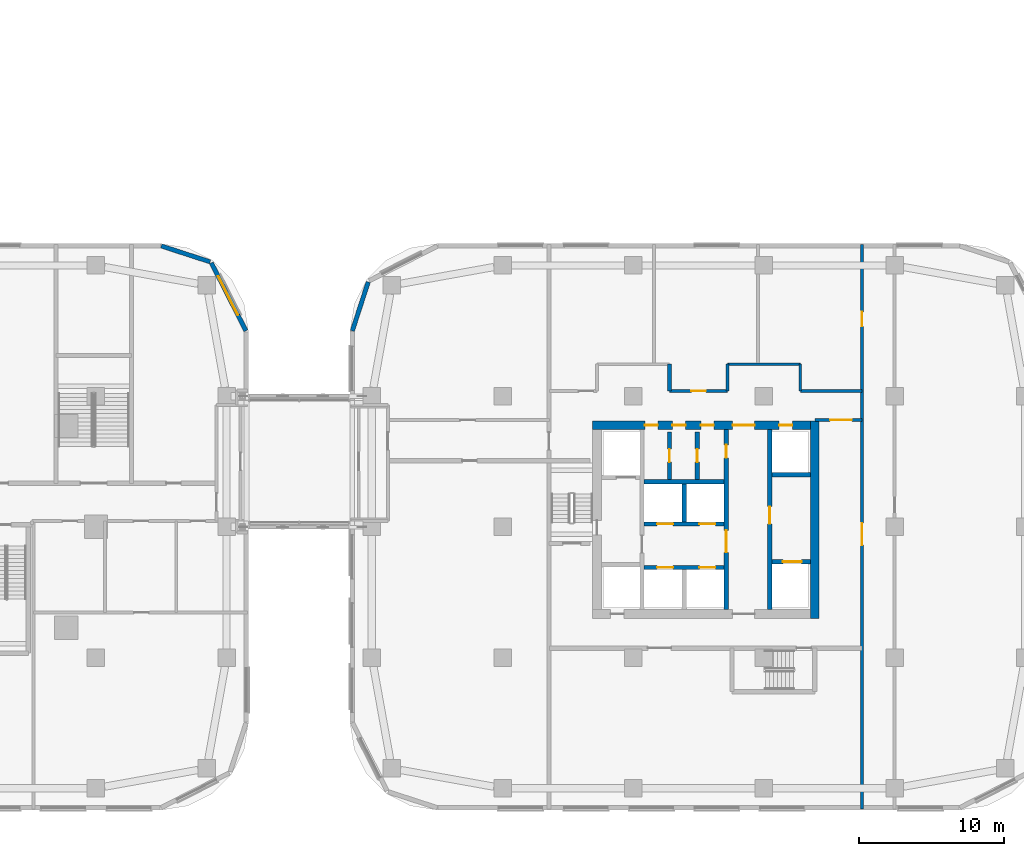
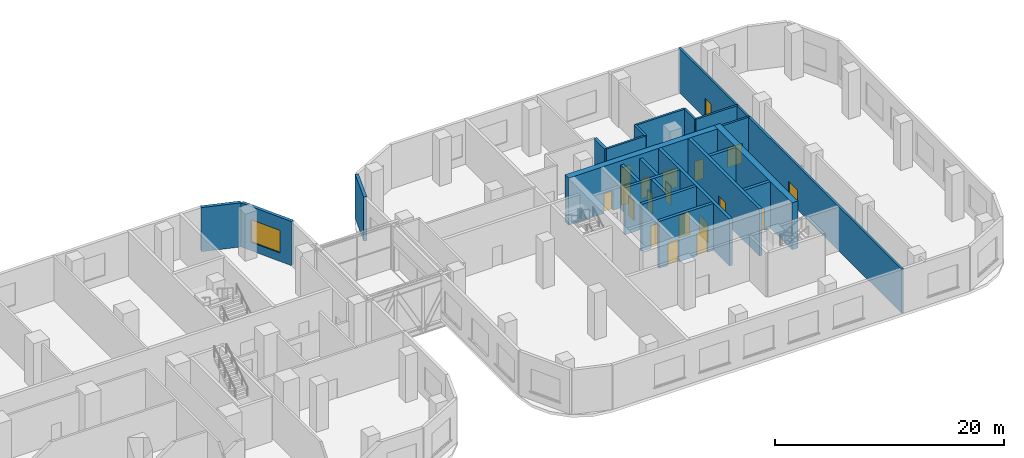
# One storey, part 13 of 35: 23 walls, 19 doors, 1 window, 20 openings.
"""IFC4 building model written with IfcOpenShell, lengths in metres."""

from ifc_helpers import new_model, si_unit, direction, frame, frame_2d, origin, place, context, subcontext, project, spatial, rectangle, extrude, material, layer, layer_set, type_object, element, fill, save


model = new_model("IFC4")

# Units and contexts
model_context = context("Model", 3, precision=1e-05, world=origin(), true_north=direction((0.0, 1.0)))
body_context = subcontext(model_context, "Body", "Model", "MODEL_VIEW")
ifc_project = project(units=[si_unit("LENGTHUNIT", "METRE"), si_unit("AREAUNIT", "SQUARE_METRE"), si_unit("VOLUMEUNIT", "CUBIC_METRE"), si_unit("PLANEANGLEUNIT", "RADIAN"), si_unit("MASSUNIT", "GRAM", prefix="KILO")], contexts=[model_context])

# Site, building, storey
site_placement = place(None, origin())
site = spatial("IfcSite", under=ifc_project, at=site_placement, CompositionType="ELEMENT")
building_placement = place(site_placement, origin())
building = spatial("IfcBuilding", under=site, at=building_placement, Name="Ogive Portal Towers", CompositionType="ELEMENT")
storey_placement = place(building_placement, frame((0.0, 0.0, 18.5)))
storey = spatial("IfcBuildingStorey", under=building, at=storey_placement, Name="L03", CompositionType="ELEMENT", Elevation=18.5)

# Wall, openings, doors
ifc_material_1 = material(Name="Concrete C60/75", Category="concrete")
ifc_layer_1 = layer(ifc_material_1, 0.300048828125)
ifc_layer_set_1 = layer_set([ifc_layer_1], Name="CORE WALL 300 C60")
wall_type_1 = type_object("IfcWallType", Name="CORE WALL 300 C60", PredefinedType="SHEAR", material=ifc_layer_set_1)
wall_1_placement = place(storey_placement, frame((137.89990234375, 24.800048828125, 0.0), z_axis=(0.0, 0.0, 1.0), x_axis=(0.0, 1.0, 0.0)))
wall_1 = element("IfcWall", 1, at=wall_1_placement, inside=storey, type_object=wall_type_1, Name="Tower B core wall BX2 L03", PredefinedType="SHEAR", context=body_context, shape_type="SweptSolid", body=[
    extrude(rectangle(XDim=12.39990234375, YDim=0.300048828125, at=frame_2d((6.199951171875, 0.0))), origin(), (0.0, 0.0, 1.0), 5.0),
])
opening_1_placement = place(wall_1_placement, frame((3.949951171875, 0.0, 0.0)))
opening_1 = element("IfcOpeningElement", 2, at=opening_1_placement, cuts=wall_1, Name="Opening P03-052", PredefinedType="OPENING", context=body_context, shape_type="SweptSolid", body=[
    extrude(rectangle(XDim=1.5, YDim=2.10009765625, at=frame_2d((0.75, 1.050048828125))), frame((0.0, 0.16015625, 0.0), z_axis=(0.0, -1.0, 0.0), x_axis=(1.0, 0.0, 0.0)), (0.0, 0.0, 1.0), 0.320068359375),
])
opening_2_placement = place(wall_1_placement, frame((10.449951171875, 0.0, 0.0)))
opening_2 = element("IfcOpeningElement", 3, at=opening_2_placement, cuts=wall_1, Name="Opening P03-069", PredefinedType="OPENING", context=body_context, shape_type="SweptSolid", body=[
    extrude(rectangle(XDim=0.89990234375, YDim=2.10009765625, at=frame_2d((0.449951171875, 1.050048828125))), frame((0.0, 0.16015625, 0.0), z_axis=(0.0, -1.0, 0.0), x_axis=(1.0, 0.0, 0.0)), (0.0, 0.0, 1.0), 0.320068359375),
])
ifc_material_2 = material(Name="Steel fire door", Category="steel")
door_type_1 = type_object("IfcDoorType", Name="DT-SWING-1500x2100-FD90S", OperationType="SINGLE_SWING_LEFT", PredefinedType="DOOR", material=ifc_material_2)
door_1_placement = place(opening_1_placement, origin())
door_1 = element("IfcDoor", 4, at=door_1_placement, inside=storey, type_object=door_type_1, Name="Door P03-052", OperationType="SINGLE_SWING_RIGHT", OverallHeight=2.10009765625, OverallWidth=1.5, PredefinedType="DOOR", context=body_context, shape_type="SweptSolid", body=[
    extrude(rectangle(XDim=1.5, YDim=2.10009765625, at=frame_2d((0.75, 1.050048828125))), frame((0.0, 0.02490234375, 0.0), z_axis=(0.0, -1.0, 0.0), x_axis=(1.0, 0.0, 0.0)), (0.0, 0.0, 1.0), 0.050048828125),
])
fill(opening_1, door_1)
door_type_2 = type_object("IfcDoorType", Name="DT-SWING-900x2100-FD90S", OperationType="SINGLE_SWING_LEFT", PredefinedType="DOOR", material=ifc_material_2)
door_2_placement = place(opening_2_placement, origin())
door_2 = element("IfcDoor", 5, at=door_2_placement, inside=storey, type_object=door_type_2, Name="Door P03-069", OperationType="SINGLE_SWING_RIGHT", OverallHeight=2.10009765625, OverallWidth=0.89990234375, PredefinedType="DOOR", context=body_context, shape_type="SweptSolid", body=[
    extrude(rectangle(XDim=0.89990234375, YDim=2.10009765625, at=frame_2d((0.449951171875, 1.050048828125))), frame((0.0, 0.02490234375, 0.0), z_axis=(0.0, -1.0, 0.0), x_axis=(1.0, 0.0, 0.0)), (0.0, 0.0, 1.0), 0.050048828125),
])
fill(opening_2, door_2)

# Wall, opening, door
wall_2_placement = place(storey_placement, frame((140.89990234375, 24.800048828125, 0.0), z_axis=(0.0, 0.0, 1.0), x_axis=(0.0, 1.0, 0.0)))
wall_2 = element("IfcWall", 6, at=wall_2_placement, inside=storey, type_object=wall_type_1, Name="Tower B core wall BX3 L03", PredefinedType="SHEAR", context=body_context, shape_type="SweptSolid", body=[
    extrude(rectangle(XDim=12.39990234375, YDim=0.300048828125, at=frame_2d((6.199951171875, 0.0))), origin(), (0.0, 0.0, 1.0), 5.0),
])
opening_3_placement = place(wall_2_placement, frame((5.89990234375, 0.0, 0.0)))
opening_3 = element("IfcOpeningElement", 7, at=opening_3_placement, cuts=wall_2, Name="Opening P03-054", PredefinedType="OPENING", context=body_context, shape_type="SweptSolid", body=[
    extrude(rectangle(XDim=1.199951171875, YDim=2.10009765625, at=frame_2d((0.60009765625, 1.050048828125))), frame((0.0, 0.16015625, 0.0), z_axis=(0.0, -1.0, 0.0), x_axis=(1.0, 0.0, 0.0)), (0.0, 0.0, 1.0), 0.320068359375),
])
door_type_3 = type_object("IfcDoorType", Name="DT-SWING-1200x2100-FD90S", OperationType="SINGLE_SWING_LEFT", PredefinedType="DOOR", material=ifc_material_2)
door_3_placement = place(opening_3_placement, origin())
door_3 = element("IfcDoor", 8, at=door_3_placement, inside=storey, type_object=door_type_3, Name="Door P03-054", OperationType="SINGLE_SWING_RIGHT", OverallHeight=2.10009765625, OverallWidth=1.199951171875, PredefinedType="DOOR", context=body_context, shape_type="SweptSolid", body=[
    extrude(rectangle(XDim=1.199951171875, YDim=2.10009765625, at=frame_2d((0.60009765625, 1.050048828125))), frame((0.0, 0.02490234375, 0.0), z_axis=(0.0, -1.0, 0.0), x_axis=(1.0, 0.0, 0.0)), (0.0, 0.0, 1.0), 0.050048828125),
])
fill(opening_3, door_3)

# Wall
wall_3_placement = place(storey_placement, frame((135.0, 30.85009765625, 0.0), z_axis=(0.0, 0.0, 1.0), x_axis=(0.0, 1.0, 0.0)))
element("IfcWall", 9, at=wall_3_placement, inside=storey, type_object=wall_type_1, Name="Tower B core wall BX5 L03", PredefinedType="SHEAR", context=body_context, shape_type="SweptSolid", body=[
    extrude(rectangle(XDim=2.599853515625, YDim=0.300048828125, at=frame_2d((1.2998046875, 0.0))), origin(), (0.0, 0.0, 1.0), 5.0),
])

# Wall, openings, doors
wall_4_placement = place(storey_placement, frame((132.25, 27.699951171875, 0.0), z_axis=(0.0, 0.0, 1.0), x_axis=(1.0, 0.0, 0.0)))
wall_4 = element("IfcWall", 10, at=wall_4_placement, inside=storey, type_object=wall_type_1, Name="Tower B core wall BY1 L03", PredefinedType="SHEAR", context=body_context, shape_type="SweptSolid", body=[
    extrude(rectangle(XDim=5.5, YDim=0.300048828125, at=frame_2d((2.75, 0.0))), origin(), (0.0, 0.0, 1.0), 5.0),
])
opening_4_placement = place(wall_4_placement, frame((0.89990234375, 0.0, 0.0)))
opening_4 = element("IfcOpeningElement", 11, at=opening_4_placement, cuts=wall_4, Name="Opening P03-060", PredefinedType="OPENING", context=body_context, shape_type="SweptSolid", body=[
    extrude(rectangle(XDim=1.10009765625, YDim=2.39990234375, at=frame_2d((0.550048828125, 1.199951171875))), frame((0.0, 0.16015625, 0.0), z_axis=(0.0, -1.0, 0.0), x_axis=(1.0, 0.0, 0.0)), (0.0, 0.0, 1.0), 0.320068359375),
])
opening_5_placement = place(wall_4_placement, frame((3.800048828125, 0.0, 0.0)))
opening_5 = element("IfcOpeningElement", 12, at=opening_5_placement, cuts=wall_4, Name="Opening P03-061", PredefinedType="OPENING", context=body_context, shape_type="SweptSolid", body=[
    extrude(rectangle(XDim=1.10009765625, YDim=2.39990234375, at=frame_2d((0.550048828125, 1.199951171875))), frame((0.0, 0.16015625, 0.0), z_axis=(0.0, -1.0, 0.0), x_axis=(1.0, 0.0, 0.0)), (0.0, 0.0, 1.0), 0.320068359375),
])
ifc_material_3 = material(Name="Stainless steel", Category="steel")
door_type_4 = type_object("IfcDoorType", Name="DT-LD-1100x2400", OperationType="SLIDING_TO_LEFT", PredefinedType="DOOR", material=ifc_material_3)
door_4_placement = place(opening_4_placement, origin())
door_4 = element("IfcDoor", 13, at=door_4_placement, inside=storey, type_object=door_type_4, Name="Door P03-060", OperationType="SLIDING_TO_LEFT", OverallHeight=2.39990234375, OverallWidth=1.10009765625, PredefinedType="DOOR", context=body_context, shape_type="SweptSolid", body=[
    extrude(rectangle(XDim=1.10009765625, YDim=2.39990234375, at=frame_2d((0.550048828125, 1.199951171875))), frame((0.0, 0.02490234375, 0.0), z_axis=(0.0, -1.0, 0.0), x_axis=(1.0, 0.0, 0.0)), (0.0, 0.0, 1.0), 0.050048828125),
])
fill(opening_4, door_4)
door_5_placement = place(opening_5_placement, origin())
door_5 = element("IfcDoor", 14, at=door_5_placement, inside=storey, type_object=door_type_4, Name="Door P03-061", OperationType="SLIDING_TO_LEFT", OverallHeight=2.39990234375, OverallWidth=1.10009765625, PredefinedType="DOOR", context=body_context, shape_type="SweptSolid", body=[
    extrude(rectangle(XDim=1.10009765625, YDim=2.39990234375, at=frame_2d((0.550048828125, 1.199951171875))), frame((0.0, 0.02490234375, 0.0), z_axis=(0.0, -1.0, 0.0), x_axis=(1.0, 0.0, 0.0)), (0.0, 0.0, 1.0), 0.050048828125),
])
fill(opening_5, door_5)

wall_5_placement = place(storey_placement, frame((132.25, 30.699951171875, 0.0), z_axis=(0.0, 0.0, 1.0), x_axis=(1.0, 0.0, 0.0)))
wall_5 = element("IfcWall", 15, at=wall_5_placement, inside=storey, type_object=wall_type_1, Name="Tower B core wall BY2 L03", PredefinedType="SHEAR", context=body_context, shape_type="SweptSolid", body=[
    extrude(rectangle(XDim=5.5, YDim=0.300048828125, at=frame_2d((2.75, 0.0))), origin(), (0.0, 0.0, 1.0), 5.0),
])
opening_6_placement = place(wall_5_placement, frame((0.89990234375, 0.0, 0.0)))
opening_6 = element("IfcOpeningElement", 16, at=opening_6_placement, cuts=wall_5, Name="Opening P03-062", PredefinedType="OPENING", context=body_context, shape_type="SweptSolid", body=[
    extrude(rectangle(XDim=1.10009765625, YDim=2.39990234375, at=frame_2d((0.550048828125, 1.199951171875))), frame((0.0, 0.16015625, 0.0), z_axis=(0.0, -1.0, 0.0), x_axis=(1.0, 0.0, 0.0)), (0.0, 0.0, 1.0), 0.320068359375),
])
opening_7_placement = place(wall_5_placement, frame((3.800048828125, 0.0, 0.0)))
opening_7 = element("IfcOpeningElement", 17, at=opening_7_placement, cuts=wall_5, Name="Opening P03-063", PredefinedType="OPENING", context=body_context, shape_type="SweptSolid", body=[
    extrude(rectangle(XDim=1.10009765625, YDim=2.39990234375, at=frame_2d((0.550048828125, 1.199951171875))), frame((0.0, 0.16015625, 0.0), z_axis=(0.0, -1.0, 0.0), x_axis=(1.0, 0.0, 0.0)), (0.0, 0.0, 1.0), 0.320068359375),
])
door_6_placement = place(opening_6_placement, origin())
door_6 = element("IfcDoor", 18, at=door_6_placement, inside=storey, type_object=door_type_4, Name="Door P03-062", OperationType="SLIDING_TO_LEFT", OverallHeight=2.39990234375, OverallWidth=1.10009765625, PredefinedType="DOOR", context=body_context, shape_type="SweptSolid", body=[
    extrude(rectangle(XDim=1.10009765625, YDim=2.39990234375, at=frame_2d((0.550048828125, 1.199951171875))), frame((0.0, 0.02490234375, 0.0), z_axis=(0.0, -1.0, 0.0), x_axis=(1.0, 0.0, 0.0)), (0.0, 0.0, 1.0), 0.050048828125),
])
fill(opening_6, door_6)
door_7_placement = place(opening_7_placement, origin())
door_7 = element("IfcDoor", 19, at=door_7_placement, inside=storey, type_object=door_type_4, Name="Door P03-063", OperationType="SLIDING_TO_LEFT", OverallHeight=2.39990234375, OverallWidth=1.10009765625, PredefinedType="DOOR", context=body_context, shape_type="SweptSolid", body=[
    extrude(rectangle(XDim=1.10009765625, YDim=2.39990234375, at=frame_2d((0.550048828125, 1.199951171875))), frame((0.0, 0.02490234375, 0.0), z_axis=(0.0, -1.0, 0.0), x_axis=(1.0, 0.0, 0.0)), (0.0, 0.0, 1.0), 0.050048828125),
])
fill(opening_7, door_7)

# Wall
wall_6_placement = place(storey_placement, frame((132.25, 33.60009765625, 0.0), z_axis=(0.0, 0.0, 1.0), x_axis=(1.0, 0.0, 0.0)))
element("IfcWall", 20, at=wall_6_placement, inside=storey, type_object=wall_type_1, Name="Tower B core wall BY3 L03", PredefinedType="SHEAR", context=body_context, shape_type="SweptSolid", body=[
    extrude(rectangle(XDim=5.5, YDim=0.300048828125, at=frame_2d((2.75, 0.0))), origin(), (0.0, 0.0, 1.0), 5.0),
])

# Wall, opening, door
wall_7_placement = place(storey_placement, frame((141.050048828125, 28.10009765625, 0.0), z_axis=(0.0, 0.0, 1.0), x_axis=(1.0, 0.0, 0.0)))
wall_7 = element("IfcWall", 21, at=wall_7_placement, inside=storey, type_object=wall_type_1, Name="Tower B core wall BY6 L03", PredefinedType="SHEAR", context=body_context, shape_type="SweptSolid", body=[
    extrude(rectangle(XDim=2.64990234375, YDim=0.300048828125, at=frame_2d((1.324951171875, 0.0))), origin(), (0.0, 0.0, 1.0), 5.0),
])
opening_8_placement = place(wall_7_placement, frame((0.75, 0.0, 0.0)))
opening_8 = element("IfcOpeningElement", 22, at=opening_8_placement, cuts=wall_7, Name="Opening P03-065", PredefinedType="OPENING", context=body_context, shape_type="SweptSolid", body=[
    extrude(rectangle(XDim=1.300048828125, YDim=2.39990234375, at=frame_2d((0.64990234375, 1.199951171875))), frame((0.0, 0.16015625, 0.0), z_axis=(0.0, -1.0, 0.0), x_axis=(1.0, 0.0, 0.0)), (0.0, 0.0, 1.0), 0.320068359375),
])
door_type_5 = type_object("IfcDoorType", Name="DT-LD-1300x2400", OperationType="SLIDING_TO_LEFT", PredefinedType="DOOR", material=ifc_material_3)
door_8_placement = place(opening_8_placement, origin())
door_8 = element("IfcDoor", 23, at=door_8_placement, inside=storey, type_object=door_type_5, Name="Door P03-065", OperationType="SLIDING_TO_LEFT", OverallHeight=2.39990234375, OverallWidth=1.300048828125, PredefinedType="DOOR", context=body_context, shape_type="SweptSolid", body=[
    extrude(rectangle(XDim=1.300048828125, YDim=2.39990234375, at=frame_2d((0.64990234375, 1.199951171875))), frame((0.0, 0.02490234375, 0.0), z_axis=(0.0, -1.0, 0.0), x_axis=(1.0, 0.0, 0.0)), (0.0, 0.0, 1.0), 0.050048828125),
])
fill(opening_8, door_8)

# Walls
wall_8_placement = place(storey_placement, frame((141.050048828125, 34.10009765625, 0.0), z_axis=(0.0, 0.0, 1.0), x_axis=(1.0, 0.0, 0.0)))
element("IfcWall", 24, at=wall_8_placement, inside=storey, type_object=wall_type_1, Name="Tower B core wall BY7 L03", PredefinedType="SHEAR", context=body_context, shape_type="SweptSolid", body=[
    extrude(rectangle(XDim=2.64990234375, YDim=0.300048828125, at=frame_2d((1.324951171875, 0.0))), origin(), (0.0, 0.0, 1.0), 5.0),
])
ifc_layer_2 = layer(ifc_material_1, 0.60009765625)
ifc_layer_set_2 = layer_set([ifc_layer_2], Name="CORE WALL 600 C60")
wall_type_2 = type_object("IfcWallType", Name="CORE WALL 600 C60", PredefinedType="SHEAR", material=ifc_layer_set_2)
wall_9_placement = place(storey_placement, frame((144.0, 24.199951171875, 0.0), z_axis=(0.0, 0.0, 1.0), x_axis=(0.0, 1.0, 0.0)))
element("IfcWall", 25, at=wall_9_placement, inside=storey, type_object=wall_type_2, Name="Tower B core wall BE L03", PredefinedType="SHEAR", context=body_context, shape_type="SweptSolid", body=[
    extrude(rectangle(XDim=13.60009765625, YDim=0.60009765625, at=frame_2d((6.800048828125, 0.0))), origin(), (0.0, 0.0, 1.0), 5.0),
])

# Wall, openings, doors
wall_10_placement = place(storey_placement, frame((128.699951171875, 37.5, 0.0), z_axis=(0.0, 0.0, 1.0), x_axis=(1.0, 0.0, 0.0)))
wall_10 = element("IfcWall", 26, at=wall_10_placement, inside=storey, type_object=wall_type_2, Name="Tower B core wall BN L03", PredefinedType="SHEAR", context=body_context, shape_type="SweptSolid", body=[
    extrude(rectangle(XDim=15.0, YDim=0.60009765625, at=frame_2d((7.5, 0.0))), origin(), (0.0, 0.0, 1.0), 5.0),
])
opening_9_placement = place(wall_10_placement, frame((9.64990234375, 0.0, 0.0)))
opening_9 = element("IfcOpeningElement", 27, at=opening_9_placement, cuts=wall_10, Name="Opening P03-057", PredefinedType="OPENING", context=body_context, shape_type="SweptSolid", body=[
    extrude(rectangle(XDim=1.5, YDim=2.10009765625, at=frame_2d((0.75, 1.050048828125))), frame((0.0, 0.31005859375, 0.0), z_axis=(0.0, -1.0, 0.0), x_axis=(1.0, 0.0, 0.0)), (0.0, 0.0, 1.0), 0.6201171875),
])
opening_10_placement = place(wall_10_placement, frame((12.85009765625, 0.0, 0.0)))
opening_10 = element("IfcOpeningElement", 28, at=opening_10_placement, cuts=wall_10, Name="Opening P03-059", PredefinedType="OPENING", context=body_context, shape_type="SweptSolid", body=[
    extrude(rectangle(XDim=0.89990234375, YDim=2.10009765625, at=frame_2d((0.449951171875, 1.050048828125))), frame((0.0, 0.31005859375, 0.0), z_axis=(0.0, -1.0, 0.0), x_axis=(1.0, 0.0, 0.0)), (0.0, 0.0, 1.0), 0.6201171875),
])
opening_11_placement = place(wall_10_placement, frame((3.60009765625, 0.0, 0.0)))
opening_11 = element("IfcOpeningElement", 29, at=opening_11_placement, cuts=wall_10, Name="Opening P03-066", PredefinedType="OPENING", context=body_context, shape_type="SweptSolid", body=[
    extrude(rectangle(XDim=0.89990234375, YDim=2.10009765625, at=frame_2d((0.449951171875, 1.050048828125))), frame((0.0, 0.31005859375, 0.0), z_axis=(0.0, -1.0, 0.0), x_axis=(1.0, 0.0, 0.0)), (0.0, 0.0, 1.0), 0.6201171875),
])
opening_12_placement = place(wall_10_placement, frame((5.5, 0.0, 0.0)))
opening_12 = element("IfcOpeningElement", 30, at=opening_12_placement, cuts=wall_10, Name="Opening P03-067", PredefinedType="OPENING", context=body_context, shape_type="SweptSolid", body=[
    extrude(rectangle(XDim=0.89990234375, YDim=2.10009765625, at=frame_2d((0.449951171875, 1.050048828125))), frame((0.0, 0.31005859375, 0.0), z_axis=(0.0, -1.0, 0.0), x_axis=(1.0, 0.0, 0.0)), (0.0, 0.0, 1.0), 0.6201171875),
])
opening_13_placement = place(wall_10_placement, frame((7.449951171875, 0.0, 0.0)))
opening_13 = element("IfcOpeningElement", 31, at=opening_13_placement, cuts=wall_10, Name="Opening P03-068", PredefinedType="OPENING", context=body_context, shape_type="SweptSolid", body=[
    extrude(rectangle(XDim=0.89990234375, YDim=2.10009765625, at=frame_2d((0.449951171875, 1.050048828125))), frame((0.0, 0.31005859375, 0.0), z_axis=(0.0, -1.0, 0.0), x_axis=(1.0, 0.0, 0.0)), (0.0, 0.0, 1.0), 0.6201171875),
])
door_9_placement = place(opening_9_placement, origin())
door_9 = element("IfcDoor", 32, at=door_9_placement, inside=storey, type_object=door_type_1, Name="Door P03-057", OperationType="SINGLE_SWING_RIGHT", OverallHeight=2.10009765625, OverallWidth=1.5, PredefinedType="DOOR", context=body_context, shape_type="SweptSolid", body=[
    extrude(rectangle(XDim=1.5, YDim=2.10009765625, at=frame_2d((0.75, 1.050048828125))), frame((0.0, 0.02490234375, 0.0), z_axis=(0.0, -1.0, 0.0), x_axis=(1.0, 0.0, 0.0)), (0.0, 0.0, 1.0), 0.050048828125),
])
fill(opening_9, door_9)
door_10_placement = place(opening_10_placement, origin())
door_10 = element("IfcDoor", 33, at=door_10_placement, inside=storey, type_object=door_type_2, Name="Riser access door P03-059", OperationType="SINGLE_SWING_RIGHT", OverallHeight=2.10009765625, OverallWidth=0.89990234375, PredefinedType="DOOR", context=body_context, shape_type="SweptSolid", body=[
    extrude(rectangle(XDim=0.89990234375, YDim=2.10009765625, at=frame_2d((0.449951171875, 1.050048828125))), frame((0.0, 0.02490234375, 0.0), z_axis=(0.0, -1.0, 0.0), x_axis=(1.0, 0.0, 0.0)), (0.0, 0.0, 1.0), 0.050048828125),
])
fill(opening_10, door_10)
door_11_placement = place(opening_11_placement, origin())
door_11 = element("IfcDoor", 34, at=door_11_placement, inside=storey, type_object=door_type_2, Name="Door P03-066", OperationType="SINGLE_SWING_LEFT", OverallHeight=2.10009765625, OverallWidth=0.89990234375, PredefinedType="DOOR", context=body_context, shape_type="SweptSolid", body=[
    extrude(rectangle(XDim=0.89990234375, YDim=2.10009765625, at=frame_2d((0.449951171875, 1.050048828125))), frame((0.0, 0.02490234375, 0.0), z_axis=(0.0, -1.0, 0.0), x_axis=(1.0, 0.0, 0.0)), (0.0, 0.0, 1.0), 0.050048828125),
])
fill(opening_11, door_11)
door_12_placement = place(opening_12_placement, origin())
door_12 = element("IfcDoor", 35, at=door_12_placement, inside=storey, type_object=door_type_2, Name="Door P03-067", OperationType="SINGLE_SWING_RIGHT", OverallHeight=2.10009765625, OverallWidth=0.89990234375, PredefinedType="DOOR", context=body_context, shape_type="SweptSolid", body=[
    extrude(rectangle(XDim=0.89990234375, YDim=2.10009765625, at=frame_2d((0.449951171875, 1.050048828125))), frame((0.0, 0.02490234375, 0.0), z_axis=(0.0, -1.0, 0.0), x_axis=(1.0, 0.0, 0.0)), (0.0, 0.0, 1.0), 0.050048828125),
])
fill(opening_12, door_12)
door_13_placement = place(opening_13_placement, origin())
door_13 = element("IfcDoor", 36, at=door_13_placement, inside=storey, type_object=door_type_2, Name="Door P03-068", OperationType="SINGLE_SWING_LEFT", OverallHeight=2.10009765625, OverallWidth=0.89990234375, PredefinedType="DOOR", context=body_context, shape_type="SweptSolid", body=[
    extrude(rectangle(XDim=0.89990234375, YDim=2.10009765625, at=frame_2d((0.449951171875, 1.050048828125))), frame((0.0, 0.02490234375, 0.0), z_axis=(0.0, -1.0, 0.0), x_axis=(1.0, 0.0, 0.0)), (0.0, 0.0, 1.0), 0.050048828125),
])
fill(opening_13, door_13)

# Wall, opening, window
ifc_material_4 = material(Name="Limestone cladding on lightweight block wall", Category="masonry")
ifc_layer_3 = layer(ifc_material_4, 0.300048828125)
ifc_layer_set_3 = layer_set([ifc_layer_3], Name="EXTERNAL WALL 300 STONE")
wall_type_3 = type_object("IfcWallType", Name="EXTERNAL WALL 300 STONE", PredefinedType="SOLIDWALL", material=ifc_layer_set_3)
wall_11_placement = place(storey_placement, frame((104.833740234375, 43.99609375, 0.0), z_axis=(0.0, 0.0, 1.0), x_axis=(-0.454006562826, 0.890998339455, 0.0)))
wall_11 = element("IfcWall", 37, at=wall_11_placement, inside=storey, type_object=wall_type_3, Name="A:L03:f06:w0", PredefinedType="SOLIDWALL", context=body_context, shape_type="SweptSolid", body=[
    extrude(rectangle(XDim=5.251708984375, YDim=0.300048828125, at=frame_2d((2.6259765625, 0.0))), origin(), (0.0, 0.0, 1.0), 4.699951171875),
])
opening_14_placement = place(wall_11_placement, frame((1.223876953125, 0.0, 0.89990234375)))
opening_14 = element("IfcOpeningElement", 38, at=opening_14_placement, cuts=wall_11, Name="Opening WN3", PredefinedType="OPENING", context=body_context, shape_type="SweptSolid", body=[
    extrude(rectangle(XDim=3.0, YDim=2.39990234375, at=frame_2d((1.5, 1.199951171875))), frame((0.0, 0.16015625, 0.0), z_axis=(0.0, -1.0, 0.0), x_axis=(1.0, 0.0, 0.0)), (0.0, 0.0, 1.0), 0.320068359375),
])
ifc_material_5 = material(Name="Glass, clear low-iron insulated glazing", Category="glass")
window_type = type_object("IfcWindowType", Name="WINDOW PODIUM 3000x2400", PartitioningType="SINGLE_PANEL", PredefinedType="WINDOW", material=ifc_material_5)
window_placement = place(opening_14_placement, origin())
window = element("IfcWindow", 39, at=window_placement, inside=storey, type_object=window_type, Name="A:L03:f06:w0:o0", OverallHeight=2.39990234375, OverallWidth=3.0, PartitioningType="SINGLE_PANEL", PredefinedType="WINDOW", context=body_context, shape_type="SweptSolid", body=[
    extrude(rectangle(XDim=3.0, YDim=2.39990234375, at=frame_2d((1.5, 1.199951171875))), frame((0.0, 0.030029296875, 0.0), z_axis=(0.0, -1.0, 0.0), x_axis=(1.0, 0.0, 0.0)), (0.0, 0.0, 1.0), 0.06005859375),
])
fill(opening_14, window)

# Walls
for number, where, z_axis, x_axis, name in (
    (40, (102.362060546875, 48.749755859375, 0.0), (0.0, 0.0, 1.0), (-0.951038127287, 0.309073584194, 0.0), "A:L03:f07:w0"),
    (41, (113.250244140625, 47.362060546875, 0.0), (0.0, 0.0, 1.0), (-0.309073584194, -0.951038127287, 0.0), "B:L03:f10:w0"),
):
    element("IfcWall", number, at=place(storey_placement, frame(where, z_axis=z_axis, x_axis=x_axis)), inside=storey, type_object=wall_type_3, Name=name, PredefinedType="SOLIDWALL", context=body_context, shape_type="SweptSolid", body=[
        extrude(rectangle(XDim=3.536376953125, YDim=0.300048828125, at=frame_2d((1.76806640625, 0.0))), origin(), (0.0, 0.0, 1.0), 4.699951171875),
    ])

# Wall, opening, door
ifc_material_6 = material(Name="Gypsum board partition on steel studs", Category="steel")
ifc_layer_4 = layer(ifc_material_6, 0.199951171875)
ifc_layer_set_4 = layer_set([ifc_layer_4], Name="WT-PART-200-EI 60")
wall_type_4 = type_object("IfcWallType", Name="WT-PART-200-EI 60", PredefinedType="PARTITIONING", material=ifc_layer_set_4)
wall_12_placement = place(storey_placement, frame((144.02001953125, 37.85009765625, 0.0), z_axis=(0.0, 0.0, 1.0), x_axis=(1.0, 0.0, 0.0)))
wall_12 = element("IfcWall", 42, at=wall_12_placement, inside=storey, type_object=wall_type_4, Name="Wall L03:w025", PredefinedType="PARTITIONING", context=body_context, shape_type="SweptSolid", body=[
    extrude(rectangle(XDim=3.22998046875, YDim=0.199951171875, at=frame_2d((1.614990234375, 0.0))), origin(), (0.0, 0.0, 1.0), 4.699951171875),
])
opening_15_placement = place(wall_12_placement, frame((1.030029296875, 0.0, 0.0)))
opening_15 = element("IfcOpeningElement", 43, at=opening_15_placement, cuts=wall_12, Name="Opening P03-035", PredefinedType="OPENING", context=body_context, shape_type="SweptSolid", body=[
    extrude(rectangle(XDim=1.5, YDim=2.10009765625, at=frame_2d((0.75, 1.050048828125))), frame((0.0, 0.10986328125, 0.0), z_axis=(0.0, -1.0, 0.0), x_axis=(1.0, 0.0, 0.0)), (0.0, 0.0, 1.0), 0.219970703125),
])
door_type_6 = type_object("IfcDoorType", Name="DT-SWING-1500x2100-FD60S", OperationType="SINGLE_SWING_LEFT", PredefinedType="DOOR", material=ifc_material_2)
door_14_placement = place(opening_15_placement, origin())
door_14 = element("IfcDoor", 44, at=door_14_placement, inside=storey, type_object=door_type_6, Name="Door P03-035", OperationType="SINGLE_SWING_LEFT", OverallHeight=2.10009765625, OverallWidth=1.5, PredefinedType="DOOR", context=body_context, shape_type="SweptSolid", body=[
    extrude(rectangle(XDim=1.5, YDim=2.10009765625, at=frame_2d((0.75, 1.050048828125))), frame((0.0, 0.02490234375, 0.0), z_axis=(0.0, -1.0, 0.0), x_axis=(1.0, 0.0, 0.0)), (0.0, 0.0, 1.0), 0.050048828125),
])
fill(opening_15, door_14)

wall_13_placement = place(storey_placement, frame((134.0, 39.85009765625, 0.0), z_axis=(0.0, 0.0, 1.0), x_axis=(1.0, 0.0, 0.0)))
wall_13 = element("IfcWall", 45, at=wall_13_placement, inside=storey, type_object=wall_type_4, Name="Wall L03:w033", PredefinedType="PARTITIONING", context=body_context, shape_type="SweptSolid", body=[
    extrude(rectangle(XDim=4.0, YDim=0.199951171875, at=frame_2d((2.0, 0.0))), origin(), (0.0, 0.0, 1.0), 4.699951171875),
])
opening_16_placement = place(wall_13_placement, frame((1.501953125, 0.0, 0.0)))
opening_16 = element("IfcOpeningElement", 46, at=opening_16_placement, cuts=wall_13, Name="Opening P03-048", PredefinedType="OPENING", context=body_context, shape_type="SweptSolid", body=[
    extrude(rectangle(XDim=1.0, YDim=2.10009765625, at=frame_2d((0.5, 1.050048828125))), frame((0.0, 0.10986328125, 0.0), z_axis=(0.0, -1.0, 0.0), x_axis=(1.0, 0.0, 0.0)), (0.0, 0.0, 1.0), 0.219970703125),
])
door_type_7 = type_object("IfcDoorType", Name="DT-SWING-1000x2100-FD60S", OperationType="SINGLE_SWING_LEFT", PredefinedType="DOOR", material=ifc_material_2)
door_15_placement = place(opening_16_placement, origin())
door_15 = element("IfcDoor", 47, at=door_15_placement, inside=storey, type_object=door_type_7, Name="Door P03-048", OperationType="SINGLE_SWING_RIGHT", OverallHeight=2.10009765625, OverallWidth=1.0, PredefinedType="DOOR", context=body_context, shape_type="SweptSolid", body=[
    extrude(rectangle(XDim=1.0, YDim=2.10009765625, at=frame_2d((0.5, 1.050048828125))), frame((0.0, 0.02490234375, 0.0), z_axis=(0.0, -1.0, 0.0), x_axis=(1.0, 0.0, 0.0)), (0.0, 0.0, 1.0), 0.050048828125),
])
fill(opening_16, door_15)

# Walls
wall_14_placement = place(storey_placement, frame((143.0, 39.85009765625, 0.0), z_axis=(0.0, 0.0, 1.0), x_axis=(1.0, 0.0, 0.0)))
element("IfcWall", 48, at=wall_14_placement, inside=storey, type_object=wall_type_4, Name="Wall L03:w034", PredefinedType="PARTITIONING", context=body_context, shape_type="SweptSolid", body=[
    extrude(rectangle(XDim=4.25, YDim=0.199951171875, at=frame_2d((2.125, 0.0))), origin(), (0.0, 0.0, 1.0), 4.699951171875),
])
wall_15_placement = place(storey_placement, frame((138.0, 41.699951171875, 0.0), z_axis=(0.0, 0.0, 1.0), x_axis=(1.0, 0.0, 0.0)))
element("IfcWall", 49, at=wall_15_placement, inside=storey, type_object=wall_type_4, Name="Wall L03:w037", PredefinedType="PARTITIONING", context=body_context, shape_type="SweptSolid", body=[
    extrude(rectangle(XDim=5.0, YDim=0.199951171875, at=frame_2d((2.5, 0.0))), origin(), (0.0, 0.0, 1.0), 4.699951171875),
])
for number, where, z_axis, x_axis, name in (
    (50, (138.0, 39.85009765625, 0.0), (0.0, 0.0, 1.0), (0.0, 1.0, 0.0), "Wall L03:w072"),
    (51, (143.0, 39.85009765625, 0.0), (0.0, 0.0, 1.0), (0.0, 1.0, 0.0), "Wall L03:w075"),
):
    element("IfcWall", number, at=place(storey_placement, frame(where, z_axis=z_axis, x_axis=x_axis)), inside=storey, type_object=wall_type_4, Name=name, PredefinedType="PARTITIONING", context=body_context, shape_type="SweptSolid", body=[
        extrude(rectangle(XDim=1.849853515625, YDim=0.199951171875, at=frame_2d((0.9248046875, 0.0))), origin(), (0.0, 0.0, 1.0), 4.699951171875),
    ])

# Wall, openings, doors
wall_16_placement = place(storey_placement, frame((147.25, 11.070068359375, 0.0), z_axis=(0.0, 0.0, 1.0), x_axis=(0.0, 1.0, 0.0)))
wall_16 = element("IfcWall", 52, at=wall_16_placement, inside=storey, type_object=wall_type_4, Name="Wall L03:w079", PredefinedType="PARTITIONING", context=body_context, shape_type="SweptSolid", body=[
    extrude(rectangle(XDim=38.85986328125, YDim=0.199951171875, at=frame_2d((19.429931640625, 0.0))), origin(), (0.0, 0.0, 1.0), 4.699951171875),
])
opening_17_placement = place(wall_16_placement, frame((18.179931640625, 0.0, 0.0)))
opening_17 = element("IfcOpeningElement", 53, at=opening_17_placement, cuts=wall_16, Name="Opening P03-042", PredefinedType="OPENING", context=body_context, shape_type="SweptSolid", body=[
    extrude(rectangle(XDim=1.5, YDim=2.10009765625, at=frame_2d((0.75, 1.050048828125))), frame((0.0, 0.10986328125, 0.0), z_axis=(0.0, -1.0, 0.0), x_axis=(1.0, 0.0, 0.0)), (0.0, 0.0, 1.0), 0.219970703125),
])
opening_18_placement = place(wall_16_placement, frame((33.239013671875, 0.0, 0.0)))
opening_18 = element("IfcOpeningElement", 54, at=opening_18_placement, cuts=wall_16, Name="Opening P03-049", PredefinedType="OPENING", context=body_context, shape_type="SweptSolid", body=[
    extrude(rectangle(XDim=1.0, YDim=2.10009765625, at=frame_2d((0.5, 1.050048828125))), frame((0.0, 0.10986328125, 0.0), z_axis=(0.0, -1.0, 0.0), x_axis=(1.0, 0.0, 0.0)), (0.0, 0.0, 1.0), 0.219970703125),
])
door_16_placement = place(opening_18_placement, origin())
door_16 = element("IfcDoor", 55, at=door_16_placement, inside=storey, type_object=door_type_7, Name="Door P03-049", OperationType="SINGLE_SWING_LEFT", OverallHeight=2.10009765625, OverallWidth=1.0, PredefinedType="DOOR", context=body_context, shape_type="SweptSolid", body=[
    extrude(rectangle(XDim=1.0, YDim=2.10009765625, at=frame_2d((0.5, 1.050048828125))), frame((0.0, 0.02490234375, 0.0), z_axis=(0.0, -1.0, 0.0), x_axis=(1.0, 0.0, 0.0)), (0.0, 0.0, 1.0), 0.050048828125),
])
fill(opening_18, door_16)
door_17_placement = place(opening_17_placement, origin())
door_17 = element("IfcDoor", 56, at=door_17_placement, inside=storey, type_object=door_type_6, Name="Door P03-042", OperationType="SINGLE_SWING_RIGHT", OverallHeight=2.10009765625, OverallWidth=1.5, PredefinedType="DOOR", context=body_context, shape_type="SweptSolid", body=[
    extrude(rectangle(XDim=1.5, YDim=2.10009765625, at=frame_2d((0.75, 1.050048828125))), frame((0.0, 0.02490234375, 0.0), z_axis=(0.0, -1.0, 0.0), x_axis=(1.0, 0.0, 0.0)), (0.0, 0.0, 1.0), 0.050048828125),
])
fill(opening_17, door_17)

# Wall, opening, door
ifc_layer_5 = layer(ifc_material_6, 0.300048828125)
ifc_layer_set_5 = layer_set([ifc_layer_5], Name="WT-PART-300-EI 60")
wall_type_5 = type_object("IfcWallType", Name="WT-PART-300-EI 60", PredefinedType="PARTITIONING", material=ifc_layer_set_5)
wall_17_placement = place(storey_placement, frame((134.0, 33.77001953125, 0.0), z_axis=(0.0, 0.0, 1.0), x_axis=(0.0, 1.0, 0.0)))
wall_17 = element("IfcWall", 57, at=wall_17_placement, inside=storey, type_object=wall_type_5, Name="Wall L03:w069", PredefinedType="PARTITIONING", context=body_context, shape_type="SweptSolid", body=[
    extrude(rectangle(XDim=3.260009765625, YDim=0.300048828125, at=frame_2d((1.6298828125, 0.0))), origin(), (0.0, 0.0, 1.0), 4.699951171875),
])
opening_19_placement = place(wall_17_placement, frame((1.179931640625, 0.0, 0.0)))
opening_19 = element("IfcOpeningElement", 58, at=opening_19_placement, cuts=wall_17, Name="Opening P03-038", PredefinedType="OPENING", context=body_context, shape_type="SweptSolid", body=[
    extrude(rectangle(XDim=0.89990234375, YDim=2.10009765625, at=frame_2d((0.449951171875, 1.050048828125))), frame((0.0, 0.16015625, 0.0), z_axis=(0.0, -1.0, 0.0), x_axis=(1.0, 0.0, 0.0)), (0.0, 0.0, 1.0), 0.320068359375),
])
door_type_8 = type_object("IfcDoorType", Name="DT-SWING-900x2100-FD60S", OperationType="SINGLE_SWING_LEFT", PredefinedType="DOOR", material=ifc_material_2)
door_18_placement = place(opening_19_placement, origin())
door_18 = element("IfcDoor", 59, at=door_18_placement, inside=storey, type_object=door_type_8, Name="Door P03-038", OperationType="SINGLE_SWING_RIGHT", OverallHeight=2.10009765625, OverallWidth=0.89990234375, PredefinedType="DOOR", context=body_context, shape_type="SweptSolid", body=[
    extrude(rectangle(XDim=0.89990234375, YDim=2.10009765625, at=frame_2d((0.449951171875, 1.050048828125))), frame((0.0, 0.02490234375, 0.0), z_axis=(0.0, -1.0, 0.0), x_axis=(1.0, 0.0, 0.0)), (0.0, 0.0, 1.0), 0.050048828125),
])
fill(opening_19, door_18)

# Wall
wall_18_placement = place(storey_placement, frame((134.0, 39.85009765625, 0.0), z_axis=(0.0, 0.0, 1.0), x_axis=(0.0, 1.0, 0.0)))
element("IfcWall", 60, at=wall_18_placement, inside=storey, type_object=wall_type_5, Name="Wall L03:w070", PredefinedType="PARTITIONING", context=body_context, shape_type="SweptSolid", body=[
    extrude(rectangle(XDim=1.849853515625, YDim=0.300048828125, at=frame_2d((0.9248046875, 0.0))), origin(), (0.0, 0.0, 1.0), 4.699951171875),
])

# Wall, opening, door
wall_19_placement = place(storey_placement, frame((135.89990234375, 33.77001953125, 0.0), z_axis=(0.0, 0.0, 1.0), x_axis=(0.0, 1.0, 0.0)))
wall_19 = element("IfcWall", 61, at=wall_19_placement, inside=storey, type_object=wall_type_5, Name="Wall L03:w071", PredefinedType="PARTITIONING", context=body_context, shape_type="SweptSolid", body=[
    extrude(rectangle(XDim=3.260009765625, YDim=0.300048828125, at=frame_2d((1.6298828125, 0.0))), origin(), (0.0, 0.0, 1.0), 4.699951171875),
])
opening_20_placement = place(wall_19_placement, frame((1.179931640625, 0.0, 0.0)))
opening_20 = element("IfcOpeningElement", 62, at=opening_20_placement, cuts=wall_19, Name="Opening P03-039", PredefinedType="OPENING", context=body_context, shape_type="SweptSolid", body=[
    extrude(rectangle(XDim=0.89990234375, YDim=2.10009765625, at=frame_2d((0.449951171875, 1.050048828125))), frame((0.0, 0.16015625, 0.0), z_axis=(0.0, -1.0, 0.0), x_axis=(1.0, 0.0, 0.0)), (0.0, 0.0, 1.0), 0.320068359375),
])
door_19_placement = place(opening_20_placement, origin())
door_19 = element("IfcDoor", 63, at=door_19_placement, inside=storey, type_object=door_type_8, Name="Door P03-039", OperationType="SINGLE_SWING_LEFT", OverallHeight=2.10009765625, OverallWidth=0.89990234375, PredefinedType="DOOR", context=body_context, shape_type="SweptSolid", body=[
    extrude(rectangle(XDim=0.89990234375, YDim=2.10009765625, at=frame_2d((0.449951171875, 1.050048828125))), frame((0.0, 0.02490234375, 0.0), z_axis=(0.0, -1.0, 0.0), x_axis=(1.0, 0.0, 0.0)), (0.0, 0.0, 1.0), 0.050048828125),
])
fill(opening_20, door_19)

save(model, "model.ifc")
